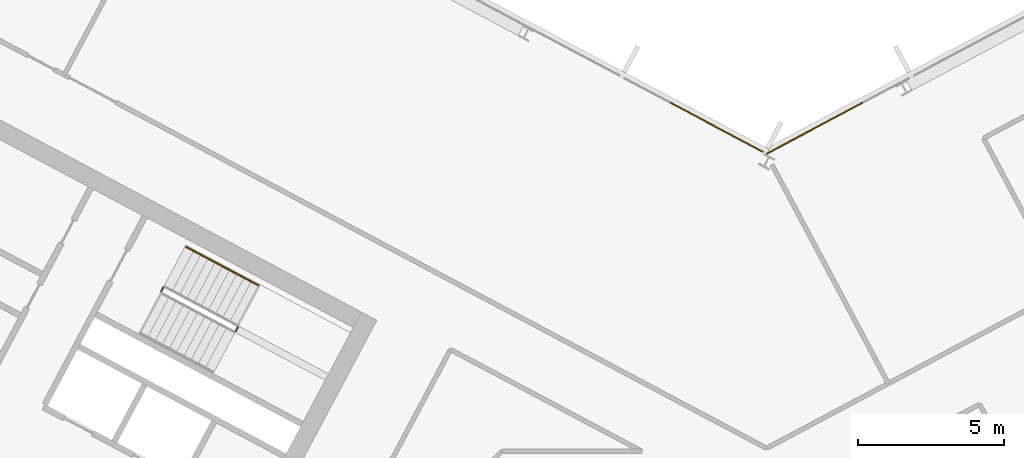
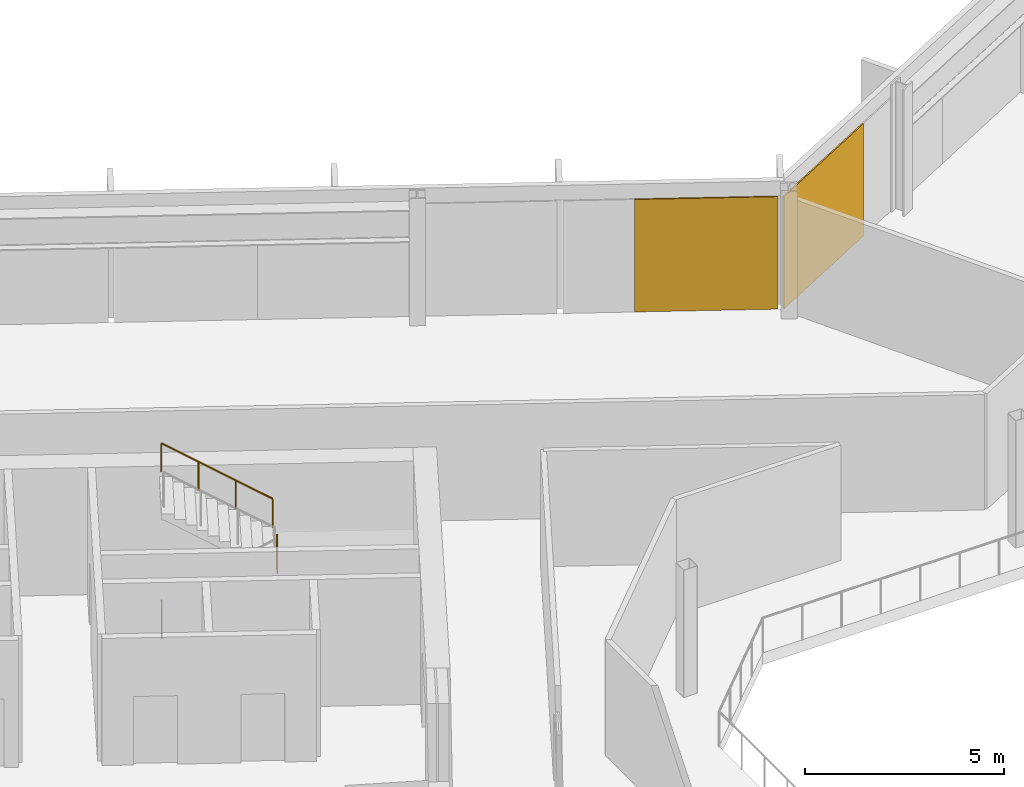
# One storey, part 23 of 27: 3 railings, 2 coverings, 2 elements without a shape of their own.
"""IFC4 building model written with IfcOpenShell, lengths in metres."""

import ifcopenshell
import ifcopenshell.guid

model = None  # the IFC model being written
_history = None  # IfcOwnerHistory: only IFC2X3 demands one
_inside = {}  # id of a spatial element -> (the spatial element, [elements in it])
_under = {}  # id of a project, library or spatial element -> (it, [spatial elements below it])
_declared = {}  # id of a project -> (the project, [libraries it declares])
_typed = {}  # id of a type object -> (the type object, [elements of that type])
_made_of = {}  # id of a material, layer set ... -> (it, [elements and type objects made of it])


def new_model(schema):
    """Start an empty IFC model of exactly this schema.

    Asked for "IFC4X3", IfcOpenShell would pick the latest addendum, in which some entities
    have other attributes; the version numbers below select the first issue.
    IFC2X3 requires an IfcOwnerHistory on every rooted entity: one is made here for all.
    """
    global model, _history
    if schema == "IFC4X3":
        model = ifcopenshell.file(schema_version=(4, 3, 0, 0))
    else:
        model = ifcopenshell.file(schema=schema)
    _inside.clear()
    _under.clear()
    _declared.clear()
    _typed.clear()
    _made_of.clear()
    _history = None
    if model.schema == "IFC2X3":
        org = make("IfcOrganization", Name="unknown")
        user = make(
            "IfcPersonAndOrganization",
            ThePerson=make("IfcPerson", FamilyName="unknown"),
            TheOrganization=org,
        )
        app = make(
            "IfcApplication",
            ApplicationDeveloper=org,
            Version="unknown",
            ApplicationFullName="unknown",
            ApplicationIdentifier="unknown",
        )
        _history = make(
            "IfcOwnerHistory",
            OwningUser=user,
            OwningApplication=app,
            ChangeAction="ADDED",
            CreationDate=0,
        )
    return model


def make(cls, **values):
    """One entity of the class cls with the attributes given. An attribute that is None is left unset."""
    return model.create_entity(
        cls, **{name: value for name, value in values.items() if value is not None}
    )


def rooted(cls, **values):
    """An entity with a GlobalId (a new one), such as an element, a storey or a relation."""
    return make(cls, GlobalId=ifcopenshell.guid.new(), OwnerHistory=_history, **values)


def si_unit(unit_type, name, prefix=None):
    """IfcSIUnit, for example si_unit("LENGTHUNIT", "METRE", prefix="MILLI")."""
    return make("IfcSIUnit", UnitType=unit_type, Prefix=prefix, Name=name)


def assignment(units):
    """IfcUnitAssignment: the units of a project."""
    return None if units is None else make("IfcUnitAssignment", Units=units)


def point(xyz):
    """IfcCartesianPoint."""
    return None if xyz is None else make("IfcCartesianPoint", Coordinates=xyz)


def direction(xyz):
    """IfcDirection."""
    return None if xyz is None else make("IfcDirection", DirectionRatios=xyz)


def frame(location, z_axis=None, x_axis=None):
    """IfcAxis2Placement3D, a coordinate frame: its origin and axes. An axis left out is left unset."""
    return make(
        "IfcAxis2Placement3D",
        Location=point(location),
        Axis=direction(z_axis),
        RefDirection=direction(x_axis),
    )


def frame_2d(location, x_axis=None):
    """IfcAxis2Placement2D, a coordinate frame in the plane: its origin and x axis."""
    return make(
        "IfcAxis2Placement2D", Location=point(location), RefDirection=direction(x_axis)
    )


def origin():
    """The frame at (0, 0, 0) with its axes left unset."""
    return frame((0.0, 0.0, 0.0))


def origin_2d():
    """The frame at (0, 0) in the plane with its x axis left unset."""
    return frame_2d((0.0, 0.0))


def place(relative_to, where):
    """IfcLocalPlacement: puts the frame where relative to a parent placement (None: the world)."""
    return make(
        "IfcLocalPlacement", PlacementRelTo=relative_to, RelativePlacement=where
    )


def context(
    kind, dimensions, precision=None, world=None, true_north=None, identifier=None
):
    """IfcGeometricRepresentationContext, for example the 3D "Model" context."""
    return make(
        "IfcGeometricRepresentationContext",
        ContextIdentifier=identifier,
        ContextType=kind,
        CoordinateSpaceDimension=dimensions,
        Precision=precision,
        WorldCoordinateSystem=world,
        TrueNorth=true_north,
    )


def subcontext(parent, identifier, kind, view, scale=None):
    """IfcGeometricRepresentationSubContext, for example "Body" below "Model"."""
    return make(
        "IfcGeometricRepresentationSubContext",
        ContextIdentifier=identifier,
        ContextType=kind,
        ParentContext=parent,
        TargetScale=scale,
        TargetView=view,
    )


def project(units=None, contexts=None):
    """IfcProject with its units and contexts."""
    return rooted(
        "IfcProject",
        Name="project",
        RepresentationContexts=contexts,
        UnitsInContext=assignment(units),
    )


def spatial(cls, under=None, at=None, **own):
    """A site, building, storey or space (cls), placed at a placement, below another one or the project."""
    s = rooted(cls, ObjectPlacement=at, **own)
    if under is not None:
        _under.setdefault(under.id(), (under, []))[1].append(s)
    return s


def polyline(points):
    """IfcPolyline through the points."""
    return make("IfcPolyline", Points=[point(p) for p in points])


def profile(cls, at=None, kind="AREA", **sizes):
    """A parametric profile (cls). Its sizes go by their IFC names, for example OverallWidth=200.0."""
    return make(cls, ProfileType=kind, Position=at, **sizes)


def rectangle(**sizes):
    """IfcRectangleProfileDef."""
    return profile("IfcRectangleProfileDef", **sizes)


def outline(outer, holes=None, kind="AREA"):
    """IfcArbitraryClosedProfileDef: a profile drawn as a closed curve; with holes, ...WithVoids."""
    if holes is None:
        return make("IfcArbitraryClosedProfileDef", ProfileType=kind, OuterCurve=outer)
    return make(
        "IfcArbitraryProfileDefWithVoids",
        ProfileType=kind,
        OuterCurve=outer,
        InnerCurves=holes,
    )


def extrude(swept, where, along, depth):
    """IfcExtrudedAreaSolid: the profile swept, set in the frame where, extruded along a direction by depth."""
    return make(
        "IfcExtrudedAreaSolid",
        SweptArea=swept,
        Position=where,
        ExtrudedDirection=direction(along),
        Depth=depth,
    )


def shape(context_of_items, identifier, shape_type, items):
    """IfcShapeRepresentation: the items that make up one representation, for example the "Body"."""
    return make(
        "IfcShapeRepresentation",
        ContextOfItems=context_of_items,
        RepresentationIdentifier=identifier,
        RepresentationType=shape_type,
        Items=items,
    )


def material(Name=None, Category=None):
    """IfcMaterial."""
    return make("IfcMaterial", Name=Name, Category=Category)


def layer(
    of_material, thickness, ventilated=None, Name=None, Category=None, Priority=None
):
    """IfcMaterialLayer: one layer of a wall or slab, of a material (None: an air gap)."""
    return make(
        "IfcMaterialLayer",
        Material=of_material,
        LayerThickness=thickness,
        IsVentilated=ventilated,
        Name=Name,
        Category=Category,
        Priority=Priority,
    )


def layer_set(layers, Name=None):
    """IfcMaterialLayerSet."""
    return make("IfcMaterialLayerSet", MaterialLayers=layers, LayerSetName=Name)


def made_of(thing, what):
    """Note that an element or type object is made of a material, layer set ...; save() writes the relation."""
    if what is not None:
        _made_of.setdefault(what.id(), (what, []))[1].append(thing)
    return thing


def type_object(cls, material=None, **own):
    """A type object (cls), such as IfcWallType, which elements share."""
    return made_of(rooted(cls, **own), material)


def element(
    cls,
    number,
    at=None,
    inside=None,
    cuts=None,
    type_object=None,
    material=None,
    context=None,
    identifier="Body",
    shape_type=None,
    held_by="IfcProductDefinitionShape",
    body=None,
    shapes=None,
    **own,
):
    """One element of the class cls, such as IfcWall. Its Tag is "e" and its number.

    at: its placement. inside: the storey or other place that contains it. cuts: it is an
    opening in that element (IfcRelVoidsElement). A single representation is given by context,
    identifier, shape_type and body (its items); several are given by shapes. held_by: the class
    of the entity that holds the representations. save() writes the other relations.
    """
    e = rooted(cls, Tag="e%d" % number, ObjectPlacement=at, **own)
    if body is not None:
        shapes = [shape(context, identifier, shape_type, body)]
    if shapes is not None:
        e.Representation = make(held_by, Representations=shapes)
    if inside is not None:
        _inside.setdefault(inside.id(), (inside, []))[1].append(e)
    if cuts is not None:
        rooted(
            "IfcRelVoidsElement", RelatingBuildingElement=cuts, RelatedOpeningElement=e
        )
    if type_object is not None:
        _typed.setdefault(type_object.id(), (type_object, []))[1].append(e)
    return made_of(e, material)


def aggregate(whole, parts):
    """IfcRelAggregates: a whole, such as a stair, and the parts it consists of."""
    return rooted("IfcRelAggregates", RelatingObject=whole, RelatedObjects=parts)


def save(model, path):
    """Write the relations noted so far, then the file.

    IfcRelAggregates (storeys below a building ...), IfcRelContainedInSpatialStructure (elements
    in a storey), IfcRelDefinesByType, IfcRelAssociatesMaterial and IfcRelDeclares: one each for
    every whole, place, type object, material and project.
    """
    for whole, parts in _under.values():
        aggregate(whole, parts)
    for where, things in _inside.values():
        rooted(
            "IfcRelContainedInSpatialStructure",
            RelatedElements=things,
            RelatingStructure=where,
        )
    for kind, things in _typed.values():
        rooted("IfcRelDefinesByType", RelatedObjects=things, RelatingType=kind)
    for what, things in _made_of.values():
        rooted("IfcRelAssociatesMaterial", RelatedObjects=things, RelatingMaterial=what)
    for by, libraries in _declared.values():
        rooted("IfcRelDeclares", RelatingContext=by, RelatedDefinitions=libraries)
    model.write(path)


model = new_model("IFC4")

# Units and contexts
model_context = context("Model", 3, precision=1e-05, world=origin(), true_north=direction((0.0, 1.0)))
body_context = subcontext(model_context, "Body", "Model", "MODEL_VIEW")
ifc_project = project(units=[si_unit("LENGTHUNIT", "METRE"), si_unit("AREAUNIT", "SQUARE_METRE"), si_unit("VOLUMEUNIT", "CUBIC_METRE"), si_unit("PLANEANGLEUNIT", "RADIAN"), si_unit("MASSUNIT", "GRAM", prefix="KILO")], contexts=[model_context])

# Site, building, storey
site_placement = place(None, origin())
site = spatial("IfcSite", under=ifc_project, at=site_placement, CompositionType="ELEMENT")
building_placement = place(site_placement, origin())
building = spatial("IfcBuilding", under=site, at=building_placement, Name="Cormorant Relay Tower", CompositionType="ELEMENT")
storey_placement = place(building_placement, frame((0.0, 0.0, 216.89990234375)))
storey = spatial("IfcBuildingStorey", under=building, at=storey_placement, Name="L47", CompositionType="ELEMENT", Elevation=216.89990234375)

# Curtain wall, covering
ifc_material_1 = material(Name="Aluminium 6063-T6 anodised bronze", Category="aluminium")
ifc_layer_1 = layer(ifc_material_1, 0.199951171875)
ifc_layer_set_1 = layer_set([ifc_layer_1], Name="CW1 unitised bronze curtain wall with vertical fins")
curtain_wall_type = type_object("IfcCurtainWallType", Name="CW1 unitised bronze curtain wall with vertical fins", PredefinedType="NOTDEFINED", material=ifc_layer_set_1)
curtain_wall_1_placement = place(storey_placement, origin())
curtain_wall_1 = element("IfcCurtainWall", 1, at=curtain_wall_1_placement, inside=storey, type_object=curtain_wall_type, Name="CW1 curtain wall 8", PredefinedType="NOTDEFINED")
ifc_material_2 = material(Name="Pale bronze anodised aluminium insulated panel", Category="aluminium")
ifc_layer_2 = layer(ifc_material_2, 0.0400390625)
ifc_layer_set_2 = layer_set([ifc_layer_2], Name="CW1 pale bronze insulated panel 40")
covering_type = type_object("IfcCoveringType", Name="CW1 pale bronze insulated panel 40", PredefinedType="CLADDING", material=ifc_layer_set_2)
covering_1_placement = place(storey_placement, frame((1.65234375, 24.685302734375, 0.0), z_axis=(0.0, 0.0, 1.0), x_axis=(-0.882947592859, -0.469471562786, 0.0)))
covering_1 = element("IfcCovering", 2, at=covering_1_placement, type_object=covering_type, Name="CW1 panel S08", PredefinedType="CLADDING", context=body_context, shape_type="SweptSolid", body=[
    extrude(rectangle(XDim=3.763916015625, YDim=0.0400390625, at=origin_2d()), origin(), (0.0, 0.0, 1.0), 3.449951171875),
])
aggregate(curtain_wall_1, [covering_1])

curtain_wall_2_placement = place(storey_placement, origin())
curtain_wall_2 = element("IfcCurtainWall", 3, at=curtain_wall_2_placement, inside=storey, type_object=curtain_wall_type, Name="CW1 curtain wall 9", PredefinedType="NOTDEFINED")
covering_2_placement = place(storey_placement, frame((-1.718505859375, 24.720458984375, 0.0), z_axis=(0.0, 0.0, 1.0), x_axis=(-0.882947592859, 0.469471562786, 0.0)))
covering_2 = element("IfcCovering", 4, at=covering_2_placement, type_object=covering_type, Name="CW1 panel S00", PredefinedType="CLADDING", context=body_context, shape_type="SweptSolid", body=[
    extrude(rectangle(XDim=3.614013671875, YDim=0.0400390625, at=origin_2d()), origin(), (0.0, 0.0, 1.0), 3.449951171875),
])
aggregate(curtain_wall_2, [covering_2])

# Railings
ifc_material_3 = material(Name="Steel ASTM A572 Grade 50 (Fy 345 MPa)", Category="steel")
railing_type_1 = type_object("IfcRailingType", Name="Stair guard 1100", PredefinedType="GUARDRAIL", material=ifc_material_3)
railing_1_placement = place(storey_placement, frame((-18.210693359375, 17.72412109375, 1.9501953125)))
element("IfcRailing", 5, at=railing_1_placement, inside=storey, type_object=railing_type_1, Name="L47 A1 stair guard 2", PredefinedType="GUARDRAIL", context=body_context, shape_type="SweptSolid", body=[
    extrude(outline(polyline([(0.022216796875, 0.00927734375), (0.00927734375, 0.022216796875), (-0.00927734375, 0.022216796875), (-0.022216796875, 0.00927734375), (-0.022216796875, -0.00927734375), (-0.00927734375, -0.022216796875), (0.00927734375, -0.022216796875), (0.022216796875, -0.00927734375), (0.022216796875, 0.00927734375)])), frame((0.0, 0.0, 1.076171875), z_axis=(0.470503732759, 0.882398003998, 0.0), x_axis=(-0.882398003998, 0.470503732759, 0.0)), (0.0, 0.0, 1.0), 0.14990234375),
    extrude(outline(polyline([(0.019287109375, 0.008056640625), (0.008056640625, 0.019287109375), (-0.008056640625, 0.019287109375), (-0.019287109375, 0.008056640625), (-0.019287109375, -0.008056640625), (-0.008056640625, -0.019287109375), (0.008056640625, -0.019287109375), (0.019287109375, -0.008056640625), (0.019287109375, 0.008056640625)])), origin(), (0.0, 0.0, 1.0), 1.052001953125),
    extrude(outline(polyline([(0.019287109375, 0.008056640625), (0.008056640625, 0.019287109375), (-0.008056640625, 0.019287109375), (-0.019287109375, 0.008056640625), (-0.019287109375, -0.008056640625), (-0.008056640625, -0.019287109375), (0.008056640625, -0.019287109375), (0.019287109375, -0.008056640625), (0.019287109375, 0.008056640625)])), frame((0.070556640625, 0.13232421875, 0.0)), (0.0, 0.0, 1.0), 1.052001953125),
])
railing_2_placement = place(storey_placement, frame((-20.771240234375, 19.08544921875, 0.0)))
element("IfcRailing", 6, at=railing_2_placement, inside=storey, type_object=railing_type_1, Name="L47 A1 stair guard 4", PredefinedType="GUARDRAIL", context=body_context, shape_type="SweptSolid", body=[
    extrude(outline(polyline([(0.022216796875, 0.00927734375), (0.00927734375, 0.022216796875), (-0.00927734375, 0.022216796875), (-0.022216796875, 0.00927734375), (-0.022216796875, -0.00927734375), (-0.00927734375, -0.022216796875), (0.00927734375, -0.022216796875), (0.022216796875, -0.00927734375), (0.022216796875, 0.00927734375)])), frame((0.0, 0.0, 1.076171875), z_axis=(0.469828648786, 0.882757634224, 0.0), x_axis=(-0.882757634224, 0.469828648786, 0.0)), (0.0, 0.0, 1.0), 0.150146484375),
    extrude(outline(polyline([(0.019287109375, 0.008056640625), (0.008056640625, 0.019287109375), (-0.008056640625, 0.019287109375), (-0.019287109375, 0.008056640625), (-0.019287109375, -0.008056640625), (-0.008056640625, -0.019287109375), (0.008056640625, -0.019287109375), (0.019287109375, -0.008056640625), (0.019287109375, 0.008056640625)])), origin(), (0.0, 0.0, 1.0), 1.052001953125),
    extrude(outline(polyline([(0.019287109375, 0.008056640625), (0.008056640625, 0.019287109375), (-0.008056640625, 0.019287109375), (-0.019287109375, 0.008056640625), (-0.019287109375, -0.008056640625), (-0.008056640625, -0.019287109375), (0.008056640625, -0.019287109375), (0.019287109375, -0.008056640625), (0.019287109375, 0.008056640625)])), frame((0.070556640625, 0.132568359375, 0.0)), (0.0, 0.0, 1.0), 1.052001953125),
])
ifc_material_4 = material(Name="Steel ASTM A572 Grade 50 (Fy 345 MPa)", Category="steel")
railing_type_2 = type_object("IfcRailingType", Name="Stair handrail 900", PredefinedType="HANDRAIL", material=ifc_material_4)
railing_3_placement = place(storey_placement, frame((-17.433349609375, 19.292724609375, 2.12744140625)))
element("IfcRailing", 7, at=railing_3_placement, inside=storey, type_object=railing_type_2, Name="L47 A1 stair handrail 2", PredefinedType="HANDRAIL", context=body_context, shape_type="SweptSolid", body=[
    extrude(outline(polyline([(0.022216796875, 0.00927734375), (0.00927734375, 0.022216796875), (-0.00927734375, 0.022216796875), (-0.022216796875, 0.00927734375), (-0.022216796875, -0.00927734375), (-0.00927734375, -0.022216796875), (0.00927734375, -0.022216796875), (0.022216796875, -0.00927734375), (0.022216796875, 0.00927734375)])), frame((0.0, 0.0, 0.8759765625), z_axis=(-0.746001213114, 0.396649272309, 0.534931345884), x_axis=(-0.469465464807, -0.882950835185, 0.0)), (0.0, 0.0, 1.0), 3.31396484375),
    extrude(outline(polyline([(0.019287109375, 0.008056640625), (0.008056640625, 0.019287109375), (-0.008056640625, 0.019287109375), (-0.019287109375, 0.008056640625), (-0.019287109375, -0.008056640625), (-0.008056640625, -0.019287109375), (0.008056640625, -0.019287109375), (0.019287109375, -0.008056640625), (0.019287109375, 0.008056640625)])), origin(), (0.0, 0.0, 1.0), 0.851806640625),
    extrude(outline(polyline([(0.019287109375, 0.008056640625), (0.008056640625, 0.019287109375), (-0.008056640625, 0.019287109375), (-0.019287109375, 0.008056640625), (-0.019287109375, -0.008056640625), (-0.008056640625, -0.019287109375), (0.008056640625, -0.019287109375), (0.019287109375, -0.008056640625), (0.019287109375, 0.008056640625)])), frame((-0.823974609375, 0.438232421875, 0.5908203125)), (0.0, 0.0, 1.0), 0.851806640625),
    extrude(outline(polyline([(0.019287109375, 0.008056640625), (0.008056640625, 0.019287109375), (-0.008056640625, 0.019287109375), (-0.019287109375, 0.008056640625), (-0.019287109375, -0.008056640625), (-0.008056640625, -0.019287109375), (0.008056640625, -0.019287109375), (0.019287109375, -0.008056640625), (0.019287109375, 0.008056640625)])), frame((-1.648193359375, 0.876220703125, 1.181884765625)), (0.0, 0.0, 1.0), 0.851806640625),
    extrude(outline(polyline([(0.019287109375, 0.008056640625), (0.008056640625, 0.019287109375), (-0.008056640625, 0.019287109375), (-0.019287109375, 0.008056640625), (-0.019287109375, -0.008056640625), (-0.008056640625, -0.019287109375), (0.008056640625, -0.019287109375), (0.019287109375, -0.008056640625), (0.019287109375, 0.008056640625)])), frame((-2.47216796875, 1.314453125, 1.772705078125)), (0.0, 0.0, 1.0), 0.851806640625),
])

save(model, "model.ifc")
